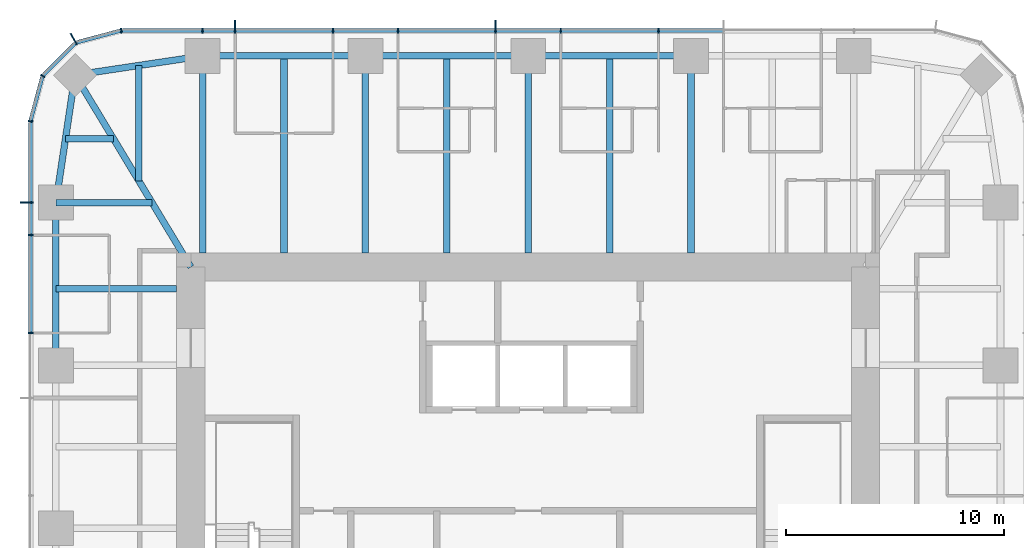
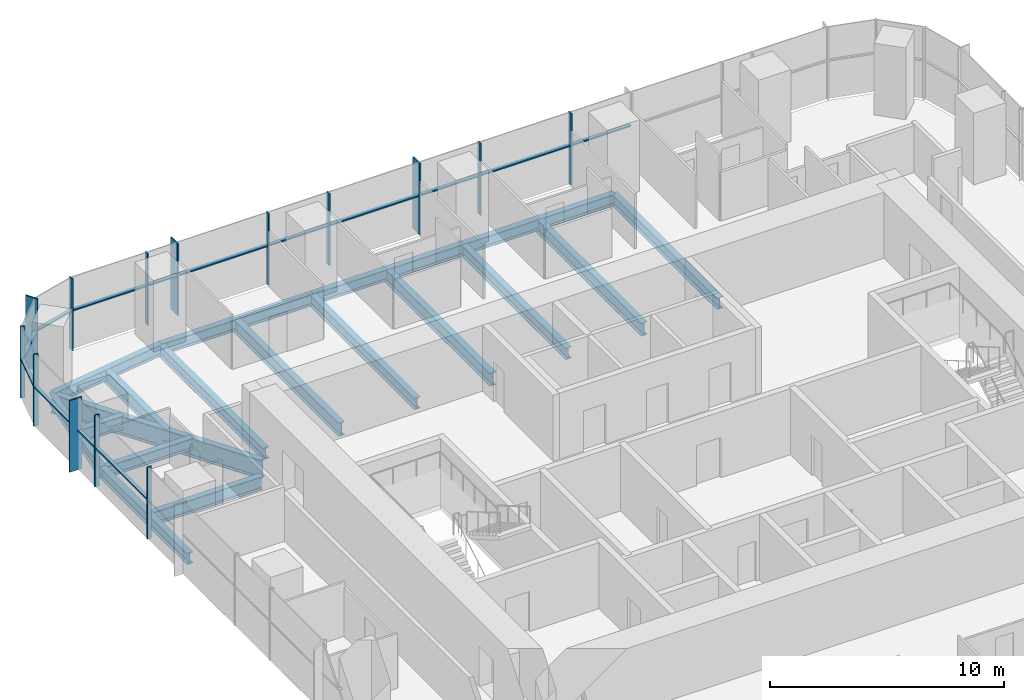
# One storey, part 5 of 13: 28 members, 18 beams, 3 elements without a shape of their own.
"""IFC4 building model written with IfcOpenShell, lengths in metres."""

from ifc_helpers import new_model, si_unit, direction, frame, origin, origin_2d, place, context, subcontext, project, spatial, rectangle, i_section, extrude, material, material_profile, profile_set, type_object, element, aggregate, save


model = new_model("IFC4")

# Units and contexts
model_context = context("Model", 3, precision=1e-05, world=origin(), true_north=direction((0.0, 1.0)))
body_context = subcontext(model_context, "Body", "Model", "MODEL_VIEW")
ifc_project = project(units=[si_unit("LENGTHUNIT", "METRE"), si_unit("AREAUNIT", "SQUARE_METRE"), si_unit("VOLUMEUNIT", "CUBIC_METRE"), si_unit("PLANEANGLEUNIT", "RADIAN"), si_unit("MASSUNIT", "GRAM", prefix="KILO")], contexts=[model_context])

# Site, building, storey
site_placement = place(None, origin())
site = spatial("IfcSite", under=ifc_project, at=site_placement, CompositionType="ELEMENT")
building_placement = place(site_placement, origin())
building = spatial("IfcBuilding", under=site, at=building_placement, Name="Khuree Lantern Residences", CompositionType="ELEMENT")
storey_placement = place(building_placement, frame((0.0, 0.0, 349.5)))
storey = spatial("IfcBuildingStorey", under=building, at=storey_placement, Name="L88", CompositionType="ELEMENT", Elevation=349.5)

# Beams
ifc_material_1 = material(Name="Steel S355", Category="steel")
ifc_material_profile_1 = material_profile(ifc_material_1, i_section(OverallWidth=0.300048828125, OverallDepth=0.68994140625, WebThickness=0.014404296875, FlangeThickness=0.027099609375, FilletRadius=0.027099609375, at=origin_2d()), Name="HE 700 A")
ifc_profile_set_1 = profile_set([ifc_material_profile_1], Name="Steel S355")
beam_type_1 = type_object("IfcBeamType", Name="B-45A SECONDARY BEAM HE 700 A", PredefinedType="BEAM", material=ifc_profile_set_1)
for number, where, z_axis, x_axis, name in (
    (1, (-11.219970703125, 21.699951171875, -0.594970703125), (0.0, -1.0, 0.0), (1.0, 0.0, 0.0), "Secondary beam N1"),
    (2, (-3.739990234375, 21.699951171875, -0.594970703125), (0.0, -1.0, 0.0), (1.0, 0.0, 0.0), "Secondary beam N2"),
    (3, (3.739990234375, 21.699951171875, -0.594970703125), (0.0, -1.0, 0.0), (1.0, 0.0, 0.0), "Secondary beam N3"),
):
    element("IfcBeam", number, at=place(storey_placement, frame(where, z_axis=z_axis, x_axis=x_axis)), inside=storey, type_object=beam_type_1, Name=name, PredefinedType="BEAM", context=body_context, shape_type="SweptSolid", body=[
        extrude(i_section(OverallWidth=0.300048828125, OverallDepth=0.68994140625, WebThickness=0.014404296875, FlangeThickness=0.027099609375, FilletRadius=0.027099609375, at=origin_2d()), origin(), (0.0, 0.0, 1.0), 9.050048828125),
    ])
beam_1_placement = place(storey_placement, frame((-21.699951171875, 11.0, -0.594970703125), z_axis=(1.0, 0.0, 0.0), x_axis=(0.0, 1.0, 0.0)))
element("IfcBeam", 4, at=beam_1_placement, inside=storey, type_object=beam_type_1, Name="Secondary beam W5", PredefinedType="BEAM", context=body_context, shape_type="SweptSolid", body=[
    extrude(i_section(OverallWidth=0.300048828125, OverallDepth=0.68994140625, WebThickness=0.014404296875, FlangeThickness=0.027099609375, FilletRadius=0.027099609375, at=origin_2d()), origin(), (0.0, 0.0, 1.0), 5.550048828125),
])
beam_2_placement = place(storey_placement, frame((-21.2607421875, 17.890625, -0.594970703125), z_axis=(1.0, 0.0, 0.0), x_axis=(0.0, 1.0, 0.0)))
element("IfcBeam", 5, at=beam_2_placement, inside=storey, type_object=beam_type_1, Name="Secondary beam W6", PredefinedType="BEAM", context=body_context, shape_type="SweptSolid", body=[
    extrude(i_section(OverallWidth=0.300048828125, OverallDepth=0.68994140625, WebThickness=0.014404296875, FlangeThickness=0.027099609375, FilletRadius=0.027099609375, at=origin_2d()), origin(), (0.0, 0.0, 1.0), 2.207275390625),
])
beam_3_placement = place(storey_placement, frame((-17.890625, 21.2607421875, -0.594970703125), z_axis=(0.0, -1.0, 0.0), x_axis=(1.0, 0.0, 0.0)))
element("IfcBeam", 6, at=beam_3_placement, inside=storey, type_object=beam_type_1, Name="Secondary beam N6", PredefinedType="BEAM", context=body_context, shape_type="SweptSolid", body=[
    extrude(i_section(OverallWidth=0.300048828125, OverallDepth=0.68994140625, WebThickness=0.014404296875, FlangeThickness=0.027099609375, FilletRadius=0.027099609375, at=origin_2d()), origin(), (0.0, 0.0, 1.0), 5.297607421875),
])
ifc_material_profile_2 = material_profile(ifc_material_1, i_section(OverallWidth=0.300048828125, OverallDepth=0.590087890625, WebThickness=0.012939453125, FlangeThickness=0.02490234375, FilletRadius=0.027099609375, at=origin_2d()), Name="HE 600 A")
ifc_profile_set_2 = profile_set([ifc_material_profile_2], Name="Steel S355")
beam_type_2 = type_object("IfcBeamType", Name="E-45A SPANDREL BEAM HE 600 A", PredefinedType="SPANDREL", material=ifc_profile_set_2)
for number, where, z_axis, x_axis, name in (
    (7, (-14.9599609375, 21.699951171875, -0.544921875), (1.0, 0.0, 0.0), (0.0, 1.0, 0.0), "Spandrel beam N1"),
    (8, (-7.47998046875, 21.699951171875, -0.544921875), (1.0, 0.0, 0.0), (0.0, 1.0, 0.0), "Spandrel beam N2"),
    (9, (0.0, 21.699951171875, -0.544921875), (1.0, 0.0, 0.0), (0.0, 1.0, 0.0), "Spandrel beam N3"),
    (10, (-21.699951171875, 7.47998046875, -0.544921875), (0.0, 1.0, 0.0), (-1.0, 0.0, 0.0), "Spandrel beam W5"),
):
    element("IfcBeam", number, at=place(storey_placement, frame(where, z_axis=z_axis, x_axis=x_axis)), inside=storey, type_object=beam_type_2, Name=name, PredefinedType="SPANDREL", context=body_context, shape_type="SweptSolid", body=[
        extrude(i_section(OverallWidth=0.300048828125, OverallDepth=0.590087890625, WebThickness=0.012939453125, FlangeThickness=0.02490234375, FilletRadius=0.027099609375, at=origin_2d()), origin(), (0.0, 0.0, 1.0), 7.47998046875),
    ])
for number, where, z_axis, x_axis, name in (
    (11, (-21.699951171875, 14.9599609375, -0.544921875), (0.148251822985, 0.988949643299, 0.0), (-0.988949643299, 0.148251822985, 0.0), "Spandrel beam W6"),
    (12, (-20.8212890625, 20.8212890625, -0.544921875), (0.988949643299, 0.148251822985, 0.0), (-0.148251822985, 0.988949643299, 0.0), "Spandrel beam N6"),
):
    element("IfcBeam", number, at=place(storey_placement, frame(where, z_axis=z_axis, x_axis=x_axis)), inside=storey, type_object=beam_type_2, Name=name, PredefinedType="SPANDREL", context=body_context, shape_type="SweptSolid", body=[
        extrude(i_section(OverallWidth=0.300048828125, OverallDepth=0.590087890625, WebThickness=0.012939453125, FlangeThickness=0.02490234375, FilletRadius=0.027099609375, at=origin_2d()), origin(), (0.0, 0.0, 1.0), 5.9267578125),
    ])

# Curtain wall, members
ifc_material_2 = material(Name="Bronze anodised aluminium", Category="aluminium")
curtain_wall_type_1 = type_object("IfcCurtainWallType", Name="CW-T1 TOWER FACE CURTAIN WALL", PredefinedType="USERDEFINED", material=ifc_material_2)
curtain_wall_1_placement = place(storey_placement, origin())
curtain_wall_1 = element("IfcCurtainWall", 13, at=curtain_wall_1_placement, inside=storey, type_object=curtain_wall_type_1, Name="L88 NORTH FACE CURTAIN WALL", ObjectType="Stick-built curtain wall", PredefinedType="USERDEFINED")
ifc_material_profile_3 = material_profile(ifc_material_2, rectangle(XDim=0.06494140625, YDim=0.60009765625, at=origin_2d()), Name="F1 65X600")
ifc_profile_set_3 = profile_set([ifc_material_profile_3], Name="Bronze anodised aluminium")
member_type_1 = type_object("IfcMemberType", Name="F1 BRONZE FIN MULLION TOWER 65X600", PredefinedType="MULLION", material=ifc_profile_set_3)
member_1_placement = place(storey_placement, frame((-1.49609375, 23.050048828125, 0.0), z_axis=(0.0, 0.0, 1.0), x_axis=(-1.0, 0.0, 0.0)))
member_1 = element("IfcMember", 14, at=member_1_placement, type_object=member_type_1, Name="L88 NORTH FACE FIN MULLION 24", PredefinedType="MULLION", context=body_context, shape_type="SweptSolid", body=[
    extrude(rectangle(XDim=0.06494140625, YDim=0.60009765625, at=origin_2d()), origin(), (0.0, 0.0, 1.0), 3.75),
])
member_2_placement = place(storey_placement, frame((-13.464111328125, 23.050048828125, 0.0), z_axis=(0.0, 0.0, 1.0), x_axis=(-1.0, 0.0, 0.0)))
member_2 = element("IfcMember", 15, at=member_2_placement, type_object=member_type_1, Name="L88 NORTH FACE FIN MULLION 27", PredefinedType="MULLION", context=body_context, shape_type="SweptSolid", body=[
    extrude(rectangle(XDim=0.06494140625, YDim=0.60009765625, at=origin_2d()), origin(), (0.0, 0.0, 1.0), 3.75),
])

# Curtain wall, member
curtain_wall_type_2 = type_object("IfcCurtainWallType", Name="CW-T2 TOWER CORNER CURTAIN WALL", PredefinedType="USERDEFINED", material=ifc_material_2)
curtain_wall_2_placement = place(storey_placement, origin())
curtain_wall_2 = element("IfcCurtainWall", 16, at=curtain_wall_2_placement, inside=storey, type_object=curtain_wall_type_2, Name="L88 NORTH-WEST CORNER CURTAIN WALL", ObjectType="Faceted corner curtain wall", PredefinedType="USERDEFINED")
member_3_placement = place(storey_placement, frame((-20.875, 22.46728515625, 0.0), z_axis=(0.0, 0.0, 1.0), x_axis=(-0.866025437565, -0.49999994149, 0.0)))
member_3 = element("IfcMember", 17, at=member_3_placement, type_object=member_type_1, Name="L88 NORTH-WEST CORNER FIN MULLION 30", PredefinedType="MULLION", context=body_context, shape_type="SweptSolid", body=[
    extrude(rectangle(XDim=0.06494140625, YDim=0.60009765625, at=origin_2d()), origin(), (0.0, 0.0, 1.0), 3.75),
])

curtain_wall_3_placement = place(storey_placement, origin())
curtain_wall_3 = element("IfcCurtainWall", 18, at=curtain_wall_3_placement, inside=storey, type_object=curtain_wall_type_1, Name="L88 WEST FACE CURTAIN WALL", ObjectType="Stick-built curtain wall", PredefinedType="USERDEFINED")
member_4_placement = place(storey_placement, frame((-23.050048828125, 14.9599609375, 0.0), z_axis=(0.0, 0.0, 1.0), x_axis=(0.0, -1.0, 0.0)))
member_4 = element("IfcMember", 19, at=member_4_placement, type_object=member_type_1, Name="L88 WEST FACE FIN MULLION 33", PredefinedType="MULLION", context=body_context, shape_type="SweptSolid", body=[
    extrude(rectangle(XDim=0.06494140625, YDim=0.60009765625, at=origin_2d()), origin(), (0.0, 0.0, 1.0), 3.75),
])

# Beams
ifc_material_profile_4 = material_profile(ifc_material_1, i_section(OverallWidth=0.300048828125, OverallDepth=0.60009765625, WebThickness=0.015380859375, FlangeThickness=0.030029296875, FilletRadius=0.027099609375, at=origin_2d()), Name="HE 600 B")
ifc_profile_set_4 = profile_set([ifc_material_profile_4], Name="Steel S355")
beam_type_3 = type_object("IfcBeamType", Name="G-45 GIRDER HE 600 B", PredefinedType="BEAM", material=ifc_profile_set_4)
for number, where, z_axis, x_axis, name in (
    (20, (-14.9599609375, 21.699951171875, -0.550048828125), (0.0, -1.0, 0.0), (1.0, 0.0, 0.0), "Girder N1"),
    (21, (-7.47998046875, 21.699951171875, -0.550048828125), (0.0, -1.0, 0.0), (1.0, 0.0, 0.0), "Girder N2"),
    (22, (0.0, 21.699951171875, -0.550048828125), (0.0, -1.0, 0.0), (1.0, 0.0, 0.0), "Girder N3"),
    (23, (7.47998046875, 21.699951171875, -0.550048828125), (0.0, -1.0, 0.0), (1.0, 0.0, 0.0), "Girder N4"),
):
    element("IfcBeam", number, at=place(storey_placement, frame(where, z_axis=z_axis, x_axis=x_axis)), inside=storey, type_object=beam_type_3, Name=name, PredefinedType="BEAM", context=body_context, shape_type="SweptSolid", body=[
        extrude(i_section(OverallWidth=0.300048828125, OverallDepth=0.60009765625, WebThickness=0.015380859375, FlangeThickness=0.030029296875, FilletRadius=0.027099609375, at=origin_2d()), origin(), (0.0, 0.0, 1.0), 9.050048828125),
    ])
beam_4_placement = place(storey_placement, frame((-21.699951171875, 14.9599609375, -0.550048828125), z_axis=(1.0, 0.0, 0.0), x_axis=(0.0, 1.0, 0.0)))
element("IfcBeam", 24, at=beam_4_placement, inside=storey, type_object=beam_type_3, Name="Girder W5", PredefinedType="BEAM", context=body_context, shape_type="SweptSolid", body=[
    extrude(i_section(OverallWidth=0.300048828125, OverallDepth=0.60009765625, WebThickness=0.015380859375, FlangeThickness=0.030029296875, FilletRadius=0.027099609375, at=origin_2d()), origin(), (0.0, 0.0, 1.0), 4.414306640625),
])
ifc_material_profile_5 = material_profile(ifc_material_1, i_section(OverallWidth=0.300048828125, OverallDepth=1.0, WebThickness=0.01904296875, FlangeThickness=0.035888671875, FilletRadius=0.030029296875, at=origin_2d()), Name="HE 1000 B")
ifc_profile_set_5 = profile_set([ifc_material_profile_5], Name="Steel S355")
beam_type_4 = type_object("IfcBeamType", Name="GD-45A CORNER GIRDER HE 1000 B", PredefinedType="BEAM", material=ifc_profile_set_5)
beam_5_placement = place(storey_placement, frame((-20.8212890625, 20.8212890625, -0.75), z_axis=(0.516529577604, -0.856269347495, 0.0), x_axis=(0.856269347495, 0.516529577604, 0.0)))
element("IfcBeam", 25, at=beam_5_placement, inside=storey, type_object=beam_type_4, Name="Corner girder NW", PredefinedType="BEAM", context=body_context, shape_type="SweptSolid", body=[
    extrude(i_section(OverallWidth=0.300048828125, OverallDepth=1.0, WebThickness=0.01904296875, FlangeThickness=0.035888671875, FilletRadius=0.030029296875, at=origin_2d()), origin(), (0.0, 0.0, 1.0), 10.302001953125),
])

# Member
ifc_material_profile_6 = material_profile(ifc_material_2, rectangle(XDim=0.06494140625, YDim=0.219970703125, at=origin_2d()), Name="M1 65X220")
ifc_profile_set_6 = profile_set([ifc_material_profile_6], Name="Bronze anodised aluminium")
member_type_2 = type_object("IfcMemberType", Name="M1 BRONZE MULLION TOWER 65X220", PredefinedType="MULLION", material=ifc_profile_set_6)
member_5_placement = place(storey_placement, frame((5.98388671875, 22.860107421875, 0.0), z_axis=(0.0, 0.0, 1.0), x_axis=(-1.0, 0.0, 0.0)))
member_5 = element("IfcMember", 26, at=member_5_placement, type_object=member_type_2, Name="L88 NORTH FACE MULLION 22", PredefinedType="MULLION", context=body_context, shape_type="SweptSolid", body=[
    extrude(rectangle(XDim=0.06494140625, YDim=0.219970703125, at=origin_2d()), origin(), (0.0, 0.0, 1.0), 3.75),
])

member_6_placement = place(storey_placement, frame((1.49609375, 22.860107421875, 0.0), z_axis=(0.0, 0.0, 1.0), x_axis=(-1.0, 0.0, 0.0)))
member_6 = element("IfcMember", 27, at=member_6_placement, type_object=member_type_2, Name="L88 NORTH FACE MULLION 23", PredefinedType="MULLION", context=body_context, shape_type="SweptSolid", body=[
    extrude(rectangle(XDim=0.06494140625, YDim=0.219970703125, at=origin_2d()), origin(), (0.0, 0.0, 1.0), 3.75),
])

member_7_placement = place(storey_placement, frame((-5.98388671875, 22.860107421875, 0.0), z_axis=(0.0, 0.0, 1.0), x_axis=(-1.0, 0.0, 0.0)))
member_7 = element("IfcMember", 28, at=member_7_placement, type_object=member_type_2, Name="L88 NORTH FACE MULLION 25", PredefinedType="MULLION", context=body_context, shape_type="SweptSolid", body=[
    extrude(rectangle(XDim=0.06494140625, YDim=0.219970703125, at=origin_2d()), origin(), (0.0, 0.0, 1.0), 3.75),
])

member_8_placement = place(storey_placement, frame((-8.97607421875, 22.860107421875, 0.0), z_axis=(0.0, 0.0, 1.0), x_axis=(-1.0, 0.0, 0.0)))
member_8 = element("IfcMember", 29, at=member_8_placement, type_object=member_type_2, Name="L88 NORTH FACE MULLION 26", PredefinedType="MULLION", context=body_context, shape_type="SweptSolid", body=[
    extrude(rectangle(XDim=0.06494140625, YDim=0.219970703125, at=origin_2d()), origin(), (0.0, 0.0, 1.0), 3.75),
])

member_9_placement = place(storey_placement, frame((-14.9599609375, 22.860107421875, 0.0), z_axis=(0.0, 0.0, 1.0), x_axis=(-1.0, 0.0, 0.0)))
member_9 = element("IfcMember", 30, at=member_9_placement, type_object=member_type_2, Name="L88 NORTH FACE MULLION 28", PredefinedType="MULLION", context=body_context, shape_type="SweptSolid", body=[
    extrude(rectangle(XDim=0.06494140625, YDim=0.219970703125, at=origin_2d()), origin(), (0.0, 0.0, 1.0), 3.75),
])

member_10_placement = place(storey_placement, frame((-18.695068359375, 22.86181640625, 0.0), z_axis=(0.0, 0.0, 1.0), x_axis=(-0.991444870192, -0.130526125236, 0.0)))
member_10 = element("IfcMember", 31, at=member_10_placement, type_object=member_type_2, Name="L88 NORTH-WEST CORNER MULLION 29", PredefinedType="MULLION", context=body_context, shape_type="SweptSolid", body=[
    extrude(rectangle(XDim=0.06494140625, YDim=0.219970703125, at=origin_2d()), origin(), (0.0, 0.0, 1.0), 3.75),
])

member_11_placement = place(storey_placement, frame((-22.302734375, 20.780029296875, 0.0), z_axis=(0.0, 0.0, 1.0), x_axis=(-0.49999994149, -0.866025437565, 0.0)))
member_11 = element("IfcMember", 32, at=member_11_placement, type_object=member_type_2, Name="L88 NORTH-WEST CORNER MULLION 31", PredefinedType="MULLION", context=body_context, shape_type="SweptSolid", body=[
    extrude(rectangle(XDim=0.06494140625, YDim=0.219970703125, at=origin_2d()), origin(), (0.0, 0.0, 1.0), 3.75),
])

member_12_placement = place(storey_placement, frame((-22.86181640625, 18.695068359375, 0.0), z_axis=(0.0, 0.0, 1.0), x_axis=(-0.130526125236, -0.991444870192, 0.0)))
member_12 = element("IfcMember", 33, at=member_12_placement, type_object=member_type_2, Name="L88 WEST FACE MULLION 32", PredefinedType="MULLION", context=body_context, shape_type="SweptSolid", body=[
    extrude(rectangle(XDim=0.06494140625, YDim=0.219970703125, at=origin_2d()), origin(), (0.0, 0.0, 1.0), 3.75),
])

member_13_placement = place(storey_placement, frame((-22.860107421875, 13.464111328125, 0.0), z_axis=(0.0, 0.0, 1.0), x_axis=(0.0, -1.0, 0.0)))
member_13 = element("IfcMember", 34, at=member_13_placement, type_object=member_type_2, Name="L88 WEST FACE MULLION 34", PredefinedType="MULLION", context=body_context, shape_type="SweptSolid", body=[
    extrude(rectangle(XDim=0.06494140625, YDim=0.219970703125, at=origin_2d()), origin(), (0.0, 0.0, 1.0), 3.75),
])

member_14_placement = place(storey_placement, frame((-22.860107421875, 8.97607421875, 0.0), z_axis=(0.0, 0.0, 1.0), x_axis=(0.0, -1.0, 0.0)))
member_14 = element("IfcMember", 35, at=member_14_placement, type_object=member_type_2, Name="L88 WEST FACE MULLION 35", PredefinedType="MULLION", context=body_context, shape_type="SweptSolid", body=[
    extrude(rectangle(XDim=0.06494140625, YDim=0.219970703125, at=origin_2d()), origin(), (0.0, 0.0, 1.0), 3.75),
])

ifc_material_profile_7 = material_profile(ifc_material_2, rectangle(XDim=0.179931640625, YDim=0.06494140625, at=origin_2d()), Name="T1 180X65")
ifc_profile_set_7 = profile_set([ifc_material_profile_7], Name="Bronze anodised aluminium")
member_type_3 = type_object("IfcMemberType", Name="TRANSOM T1 TOWER 180X65", PredefinedType="USERDEFINED", material=ifc_profile_set_7)
member_15_placement = place(storey_placement, frame((8.943603515625, 22.8701171875, 2.050048828125), z_axis=(-1.0, 0.0, 0.0), x_axis=(0.0, -1.0, 0.0)))
member_15 = element("IfcMember", 36, at=member_15_placement, type_object=member_type_3, Name="L88 NORTH FACE TRANSOM 21.1", ObjectType="Transom", PredefinedType="USERDEFINED", context=body_context, shape_type="SweptSolid", body=[
    extrude(rectangle(XDim=0.179931640625, YDim=0.06494140625, at=origin_2d()), origin(), (0.0, 0.0, 1.0), 2.927001953125),
])

member_16_placement = place(storey_placement, frame((5.951416015625, 22.8701171875, 2.050048828125), z_axis=(-1.0, 0.0, 0.0), x_axis=(0.0, -1.0, 0.0)))
member_16 = element("IfcMember", 37, at=member_16_placement, type_object=member_type_3, Name="L88 NORTH FACE TRANSOM 22.1", ObjectType="Transom", PredefinedType="USERDEFINED", context=body_context, shape_type="SweptSolid", body=[
    extrude(rectangle(XDim=0.179931640625, YDim=0.06494140625, at=origin_2d()), origin(), (0.0, 0.0, 1.0), 4.4228515625),
])

member_17_placement = place(storey_placement, frame((1.46337890625, 22.8701171875, 2.050048828125), z_axis=(-1.0, 0.0, 0.0), x_axis=(0.0, -1.0, 0.0)))
member_17 = element("IfcMember", 38, at=member_17_placement, type_object=member_type_3, Name="L88 NORTH FACE TRANSOM 23.1", ObjectType="Transom", PredefinedType="USERDEFINED", context=body_context, shape_type="SweptSolid", body=[
    extrude(rectangle(XDim=0.179931640625, YDim=0.06494140625, at=origin_2d()), origin(), (0.0, 0.0, 1.0), 2.9267578125),
])

member_18_placement = place(storey_placement, frame((-1.528564453125, 22.8701171875, 2.050048828125), z_axis=(-1.0, 0.0, 0.0), x_axis=(0.0, -1.0, 0.0)))
member_18 = element("IfcMember", 39, at=member_18_placement, type_object=member_type_3, Name="L88 NORTH FACE TRANSOM 24.1", ObjectType="Transom", PredefinedType="USERDEFINED", context=body_context, shape_type="SweptSolid", body=[
    extrude(rectangle(XDim=0.179931640625, YDim=0.06494140625, at=origin_2d()), origin(), (0.0, 0.0, 1.0), 4.4228515625),
])

member_19_placement = place(storey_placement, frame((-6.0166015625, 22.8701171875, 2.050048828125), z_axis=(-1.0, 0.0, 0.0), x_axis=(0.0, -1.0, 0.0)))
member_19 = element("IfcMember", 40, at=member_19_placement, type_object=member_type_3, Name="L88 NORTH FACE TRANSOM 25.1", ObjectType="Transom", PredefinedType="USERDEFINED", context=body_context, shape_type="SweptSolid", body=[
    extrude(rectangle(XDim=0.179931640625, YDim=0.06494140625, at=origin_2d()), origin(), (0.0, 0.0, 1.0), 2.927001953125),
])

member_20_placement = place(storey_placement, frame((-9.008544921875, 22.8701171875, 2.050048828125), z_axis=(-1.0, 0.0, 0.0), x_axis=(0.0, -1.0, 0.0)))
member_20 = element("IfcMember", 41, at=member_20_placement, type_object=member_type_3, Name="L88 NORTH FACE TRANSOM 26.1", ObjectType="Transom", PredefinedType="USERDEFINED", context=body_context, shape_type="SweptSolid", body=[
    extrude(rectangle(XDim=0.179931640625, YDim=0.06494140625, at=origin_2d()), origin(), (0.0, 0.0, 1.0), 4.4228515625),
])

member_21_placement = place(storey_placement, frame((-13.49658203125, 22.8701171875, 2.050048828125), z_axis=(-1.0, 0.0, 0.0), x_axis=(0.0, -1.0, 0.0)))
member_21 = element("IfcMember", 42, at=member_21_placement, type_object=member_type_3, Name="L88 NORTH FACE TRANSOM 27.1", ObjectType="Transom", PredefinedType="USERDEFINED", context=body_context, shape_type="SweptSolid", body=[
    extrude(rectangle(XDim=0.179931640625, YDim=0.06494140625, at=origin_2d()), origin(), (0.0, 0.0, 1.0), 1.430908203125),
])

member_22_placement = place(storey_placement, frame((-14.992431640625, 22.8701171875, 2.050048828125), z_axis=(-1.0, 0.0, 0.0), x_axis=(0.0, -1.0, 0.0)))
member_22 = element("IfcMember", 43, at=member_22_placement, type_object=member_type_3, Name="L88 NORTH FACE TRANSOM 28.1", ObjectType="Transom", PredefinedType="USERDEFINED", context=body_context, shape_type="SweptSolid", body=[
    extrude(rectangle(XDim=0.179931640625, YDim=0.06494140625, at=origin_2d()), origin(), (0.0, 0.0, 1.0), 3.658935546875),
])

aggregate(curtain_wall_1, [member_5, member_6, member_1, member_7, member_8, member_2, member_9, member_15, member_16, member_17, member_18, member_19, member_20, member_21, member_22])

member_23_placement = place(storey_placement, frame((-18.7392578125, 22.8583984375, 2.050048828125), z_axis=(-0.965941173949, -0.25876176006, 0.0), x_axis=(0.25876176006, -0.965941173949, 0.0)))
member_23 = element("IfcMember", 44, at=member_23_placement, type_object=member_type_3, Name="L88 NORTH-WEST CORNER TRANSOM 29.1", ObjectType="Transom", PredefinedType="USERDEFINED", context=body_context, shape_type="SweptSolid", body=[
    extrude(rectangle(XDim=0.179931640625, YDim=0.06494140625, at=origin_2d()), origin(), (0.0, 0.0, 1.0), 2.0595703125),
])

member_24_placement = place(storey_placement, frame((-20.8251953125, 22.26953125, 2.050048828125), z_axis=(-0.707106781187, -0.707106781187, 0.0), x_axis=(0.707106781187, -0.707106781187, 0.0)))
member_24 = element("IfcMember", 45, at=member_24_placement, type_object=member_type_3, Name="L88 NORTH-WEST CORNER TRANSOM 30.1", ObjectType="Transom", PredefinedType="USERDEFINED", context=body_context, shape_type="SweptSolid", body=[
    extrude(rectangle(XDim=0.179931640625, YDim=0.06494140625, at=origin_2d()), origin(), (0.0, 0.0, 1.0), 2.04248046875),
])

member_25_placement = place(storey_placement, frame((-22.325439453125, 20.728759765625, 2.050048828125), z_axis=(-0.25876176006, -0.965941173949, 0.0), x_axis=(0.965941173949, -0.25876176006, 0.0)))
member_25 = element("IfcMember", 46, at=member_25_placement, type_object=member_type_3, Name="L88 NORTH-WEST CORNER TRANSOM 31.1", ObjectType="Transom", PredefinedType="USERDEFINED", context=body_context, shape_type="SweptSolid", body=[
    extrude(rectangle(XDim=0.179931640625, YDim=0.06494140625, at=origin_2d()), origin(), (0.0, 0.0, 1.0), 2.0595703125),
])

aggregate(curtain_wall_2, [member_10, member_3, member_11, member_23, member_24, member_25])

member_26_placement = place(storey_placement, frame((-22.8701171875, 18.6513671875, 2.050048828125), z_axis=(0.0, -1.0, 0.0), x_axis=(1.0, 0.0, 0.0)))
member_26 = element("IfcMember", 47, at=member_26_placement, type_object=member_type_3, Name="L88 WEST FACE TRANSOM 32.1", ObjectType="Transom", PredefinedType="USERDEFINED", context=body_context, shape_type="SweptSolid", body=[
    extrude(rectangle(XDim=0.179931640625, YDim=0.06494140625, at=origin_2d()), origin(), (0.0, 0.0, 1.0), 3.658935546875),
])

member_27_placement = place(storey_placement, frame((-22.8701171875, 14.927490234375, 2.050048828125), z_axis=(0.0, -1.0, 0.0), x_axis=(1.0, 0.0, 0.0)))
member_27 = element("IfcMember", 48, at=member_27_placement, type_object=member_type_3, Name="L88 WEST FACE TRANSOM 33.1", ObjectType="Transom", PredefinedType="USERDEFINED", context=body_context, shape_type="SweptSolid", body=[
    extrude(rectangle(XDim=0.179931640625, YDim=0.06494140625, at=origin_2d()), origin(), (0.0, 0.0, 1.0), 1.430908203125),
])

member_28_placement = place(storey_placement, frame((-22.8701171875, 13.431396484375, 2.050048828125), z_axis=(0.0, -1.0, 0.0), x_axis=(1.0, 0.0, 0.0)))
member_28 = element("IfcMember", 49, at=member_28_placement, type_object=member_type_3, Name="L88 WEST FACE TRANSOM 34.1", ObjectType="Transom", PredefinedType="USERDEFINED", context=body_context, shape_type="SweptSolid", body=[
    extrude(rectangle(XDim=0.179931640625, YDim=0.06494140625, at=origin_2d()), origin(), (0.0, 0.0, 1.0), 4.4228515625),
])

aggregate(curtain_wall_3, [member_12, member_4, member_13, member_14, member_26, member_27, member_28])

save(model, "model.ifc")
